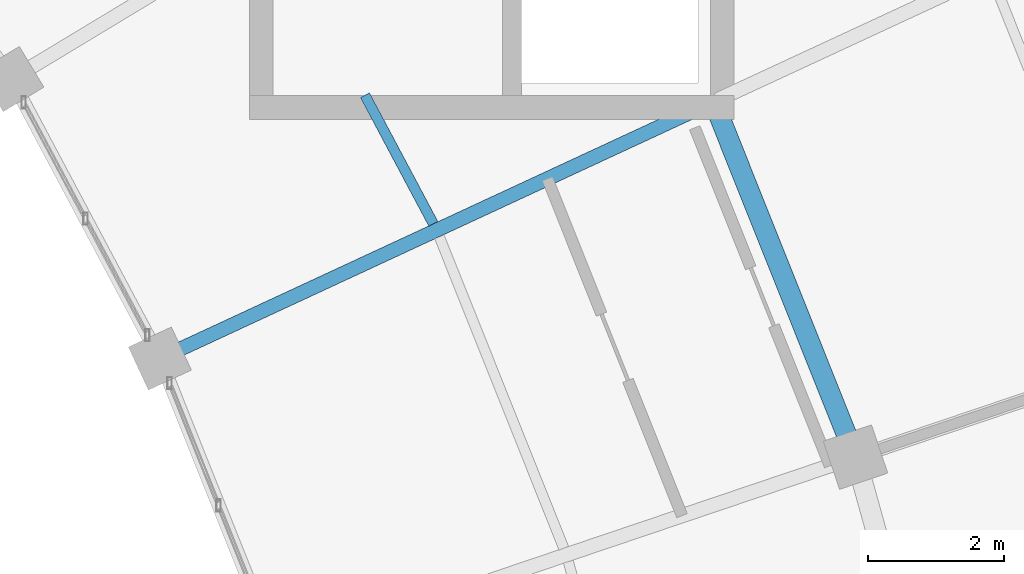
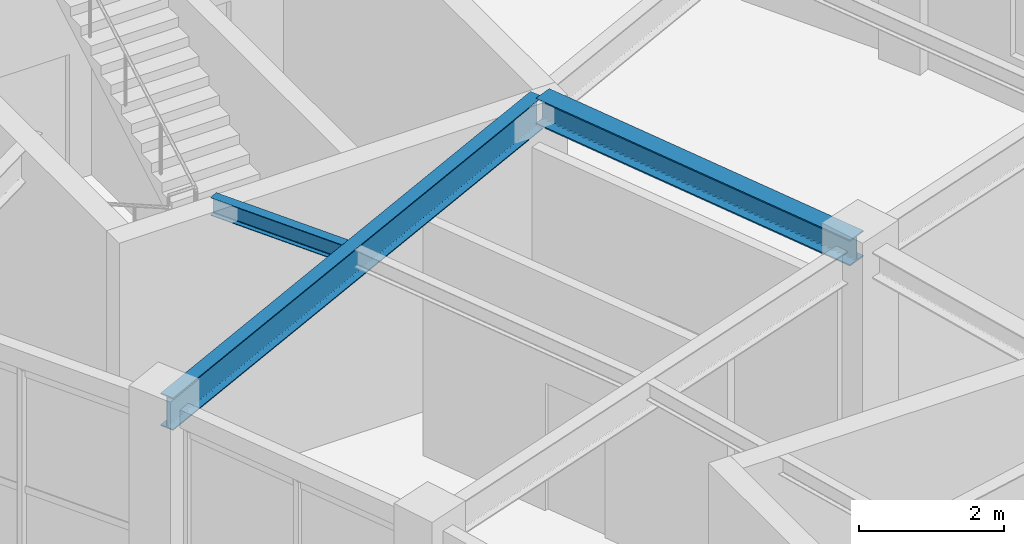
# One storey, part 62 of 100: 3 beams.
"""IFC4 building model written with IfcOpenShell, lengths in metres."""

from ifc_helpers import new_model, si_unit, direction, frame, origin, origin_2d, place, context, subcontext, project, spatial, i_section, extrude, material, material_profile, profile_set, type_object, element, save


model = new_model("IFC4")

# Units and contexts
model_context = context("Model", 3, precision=1e-05, world=origin(), true_north=direction((0.0, 1.0)))
body_context = subcontext(model_context, "Body", "Model", "MODEL_VIEW")
ifc_project = project(units=[si_unit("LENGTHUNIT", "METRE"), si_unit("AREAUNIT", "SQUARE_METRE"), si_unit("VOLUMEUNIT", "CUBIC_METRE"), si_unit("PLANEANGLEUNIT", "RADIAN"), si_unit("MASSUNIT", "GRAM", prefix="KILO")], contexts=[model_context])

# Site, building, storey
site_placement = place(None, origin())
site = spatial("IfcSite", under=ifc_project, at=site_placement, CompositionType="ELEMENT")
building_placement = place(site_placement, origin())
building = spatial("IfcBuilding", under=site, at=building_placement, Name="Tarnveldt Headland Concert Hall", CompositionType="ELEMENT")
storey_placement = place(building_placement, frame((0.0, 0.0, 4.800048828125)))
storey = spatial("IfcBuildingStorey", under=building, at=storey_placement, Name="L01", CompositionType="ELEMENT", Elevation=4.800048828125)

# Beams
ifc_material = material(Name="Steel S355", Category="steel")
ifc_material_profile_1 = material_profile(ifc_material, i_section(OverallWidth=0.300048828125, OverallDepth=0.43994140625, WebThickness=0.011474609375, FlangeThickness=0.02099609375, FilletRadius=0.027099609375, at=origin_2d()), Name="HEA450", Category="steel")
ifc_profile_set_1 = profile_set([ifc_material_profile_1], Name="Steel S355")
beam_type_1 = type_object("IfcBeamType", Name="SB-HEA450", PredefinedType="BEAM", material=ifc_profile_set_1)
beam_1_placement = place(storey_placement, frame((166.7421875, 76.698974609375, 4.320068359375), z_axis=(-0.370963937019, 0.928647272882, 0.0), x_axis=(-0.928647272882, -0.370963937019, 0.0)))
element("IfcBeam", 1, at=beam_1_placement, inside=storey, type_object=beam_type_1, Name="Framing beam L01-823", PredefinedType="BEAM", context=body_context, shape_type="SweptSolid", body=[
    extrude(i_section(OverallWidth=0.300048828125, OverallDepth=0.43994140625, WebThickness=0.011474609375, FlangeThickness=0.02099609375, FilletRadius=0.027099609375, at=origin_2d()), origin(), (0.0, 0.0, 1.0), 5.5244140625),
])
ifc_material_profile_2 = material_profile(ifc_material, i_section(OverallWidth=0.14990234375, OverallDepth=0.300048828125, WebThickness=0.007080078125, FlangeThickness=0.0107421875, FilletRadius=0.014892578125, at=origin_2d()), Name="IPE300", Category="steel")
ifc_profile_set_2 = profile_set([ifc_material_profile_2], Name="Steel S355")
beam_type_2 = type_object("IfcBeamType", Name="SB-IPE300", PredefinedType="JOIST", material=ifc_profile_set_2)
beam_2_placement = place(storey_placement, frame((160.539306640625, 80.08349609375, 4.389892578125), z_axis=(-0.469531916637, 0.882915499501, 0.0), x_axis=(-0.882915499501, -0.469531916637, 0.0)))
element("IfcBeam", 2, at=beam_2_placement, inside=storey, type_object=beam_type_2, Name="Framing beam L01-831", PredefinedType="JOIST", context=body_context, shape_type="SweptSolid", body=[
    extrude(i_section(OverallWidth=0.14990234375, OverallDepth=0.300048828125, WebThickness=0.007080078125, FlangeThickness=0.0107421875, FilletRadius=0.014892578125, at=origin_2d()), origin(), (0.0, 0.0, 1.0), 2.14794921875),
])
ifc_material_profile_3 = material_profile(ifc_material, i_section(OverallWidth=0.2099609375, OverallDepth=0.550048828125, WebThickness=0.010986328125, FlangeThickness=0.01708984375, FilletRadius=0.02392578125, at=origin_2d()), Name="IPE550", Category="steel")
ifc_profile_set_3 = profile_set([ifc_material_profile_3], Name="Steel S355")
beam_type_3 = type_object("IfcBeamType", Name="SB-IPE550", PredefinedType="BEAM", material=ifc_profile_set_3)
beam_3_placement = place(storey_placement, frame((156.560791015625, 78.122314453125, 4.264892578125), z_axis=(0.907136064141, 0.420837452153, 0.0), x_axis=(-0.420837452153, 0.907136064141, 0.0)))
element("IfcBeam", 3, at=beam_3_placement, inside=storey, type_object=beam_type_3, Name="Framing beam L01-827", PredefinedType="BEAM", context=body_context, shape_type="SweptSolid", body=[
    extrude(i_section(OverallWidth=0.2099609375, OverallDepth=0.550048828125, WebThickness=0.010986328125, FlangeThickness=0.01708984375, FilletRadius=0.02392578125, at=origin_2d()), origin(), (0.0, 0.0, 1.0), 8.880126953125),
])

save(model, "model.ifc")
